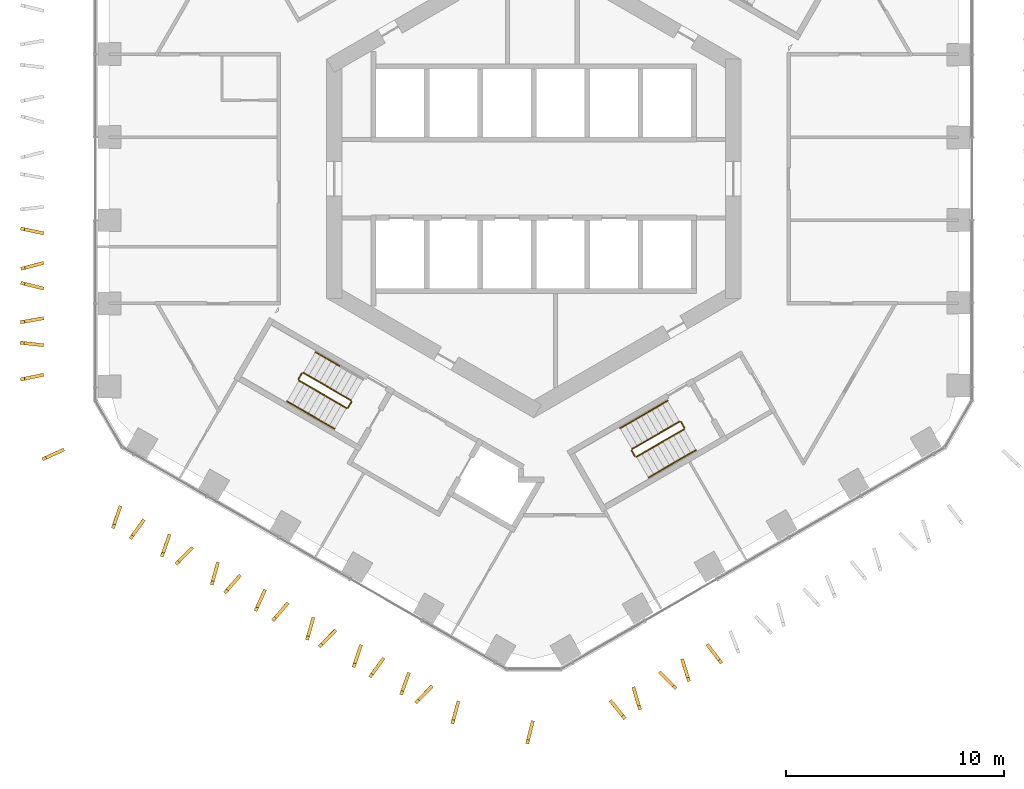
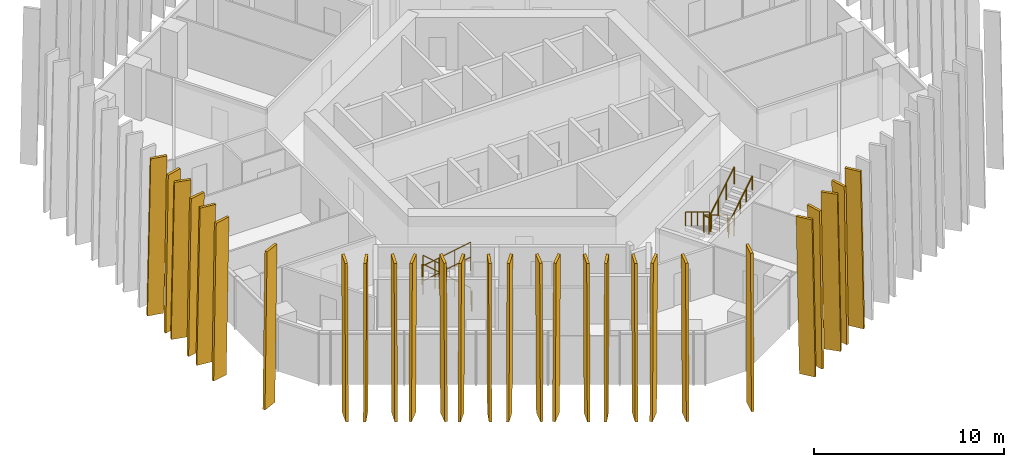
# One storey, part 16 of 18: 28 shading devices, 15 railings.
"""IFC4 building model written with IfcOpenShell, lengths in metres."""

from ifc_helpers import new_model, si_unit, direction, frame, origin, origin_2d, place, context, subcontext, project, spatial, polyline, circle, outline, extrude, material, layer, layer_set, type_object, element, save


model = new_model("IFC4")

# Units and contexts
model_context = context("Model", 3, precision=1e-05, world=origin(), true_north=direction((0.0, 1.0)))
body_context = subcontext(model_context, "Body", "Model", "MODEL_VIEW")
ifc_project = project(units=[si_unit("LENGTHUNIT", "METRE"), si_unit("AREAUNIT", "SQUARE_METRE"), si_unit("VOLUMEUNIT", "CUBIC_METRE"), si_unit("PLANEANGLEUNIT", "RADIAN"), si_unit("MASSUNIT", "GRAM", prefix="KILO")], contexts=[model_context])

# Site, building, storey
site_placement = place(None, origin())
site = spatial("IfcSite", under=ifc_project, at=site_placement, CompositionType="ELEMENT")
building_placement = place(site_placement, origin())
building = spatial("IfcBuilding", under=site, at=building_placement, Name="Ayvan Gate Tower", CompositionType="ELEMENT")
storey_placement = place(building_placement, frame((0.0, 0.0, 83.10009765625)))
storey = spatial("IfcBuildingStorey", under=building, at=storey_placement, Name="L21", CompositionType="ELEMENT", Elevation=83.10009765625)

# Shading devices
ifc_material_1 = material(Name="Bronze anodised aluminium", Category="aluminium")
ifc_layer = layer(ifc_material_1, 0.14990234375)
ifc_layer_set = layer_set([ifc_layer], Name="Bronze anodised aluminium")
shading_device_type = type_object("IfcShadingDeviceType", Name="Bronze fin 900 x 150", PredefinedType="USERDEFINED", material=ifc_layer_set)
shading_device_1_placement = place(storey_placement, frame((-22.64501953125, -2.3955078125, 0.0), z_axis=(0.205600362264, 0.978636025132, 0.000146121856), x_axis=(-0.978636035579, 0.205600364459, 0.0)))
element("IfcShadingDevice", 1, at=shading_device_1_placement, inside=storey, type_object=shading_device_type, Name="Bronze fin FG07.3.26", ObjectType="FIN", PredefinedType="USERDEFINED", context=body_context, shape_type="SweptSolid", body=[
    extrude(outline(polyline([(0.0, 0.0), (0.9000888409741108, 6.776263578034403e-21), (0.7159197938794261, 10.079834091985274), (-0.18416904709468473, 10.079834091985274), (0.0, 0.0)])), origin(), (0.0, 0.0, -1.0), 0.14990234375),
])
shading_device_2_placement = place(storey_placement, frame((-22.67529296875, -3.83251953125, 0.0), z_axis=(-0.255534649572, 0.966799884367, 0.000162654484), x_axis=(-0.966799897156, -0.255534652952, 0.0)))
element("IfcShadingDevice", 2, at=shading_device_2_placement, inside=storey, type_object=shading_device_type, Name="Bronze fin FG07.3.27", ObjectType="FIN", PredefinedType="USERDEFINED", context=body_context, shape_type="SweptSolid", body=[
    extrude(outline(polyline([(0.0, 0.0), (0.8999971866563695, 6.776263578034403e-21), (0.7160876724051745, 10.079834117713473), (-0.1839095142511951, 10.079834117713473), (0.0, 0.0)])), origin(), (0.0, 0.0, -1.0), 0.14990234375),
])
shading_device_3_placement = place(storey_placement, frame((-22.638916015625, -4.925048828125, 0.0), z_axis=(0.244385985869, 0.969678023843, 0.000141377549), x_axis=(-0.969678033533, 0.244385988311, 0.0)))
element("IfcShadingDevice", 3, at=shading_device_3_placement, inside=storey, type_object=shading_device_type, Name="Bronze fin FG07.3.28", ObjectType="FIN", PredefinedType="USERDEFINED", context=body_context, shape_type="SweptSolid", body=[
    extrude(outline(polyline([(0.0, 0.0), (0.9000953968140175, 0.0), (0.7159405378641897, 10.079834085110903), (-0.18415485894982794, 10.079834085110903), (0.0, 0.0)])), origin(), (0.0, 0.0, -1.0), 0.14990234375),
])
shading_device_4_placement = place(storey_placement, frame((-22.67578125, -6.356201171875, 0.0), z_axis=(-0.174969053598, 0.984573922532, 0.000146127767), x_axis=(-0.984573933044, -0.174969055466, 3.468e-09)))
element("IfcShadingDevice", 4, at=shading_device_4_placement, inside=storey, type_object=shading_device_type, Name="Bronze fin FG07.3.29", ObjectType="FIN", PredefinedType="USERDEFINED", context=body_context, shape_type="SweptSolid", body=[
    extrude(outline(polyline([(0.0, 0.0), (0.8998715438944136, -6.776263578034403e-21), (0.7158909799192454, 10.079834089511019), (-0.1842209384705402, 10.079834095754002), (0.0, 0.0)])), origin(), (0.0, 0.0, -1.0), 0.14990234375),
])
shading_device_5_placement = place(storey_placement, frame((-22.657470703125, -7.546142578125, 0.0), z_axis=(0.110952561168, 0.993825691542, 0.000154923346), x_axis=(-0.993825703469, 0.1109525625, 2.331e-09)))
element("IfcShadingDevice", 5, at=shading_device_5_placement, inside=storey, type_object=shading_device_type, Name="Bronze fin FG07.3.30", ObjectType="FIN", PredefinedType="USERDEFINED", context=body_context, shape_type="SweptSolid", body=[
    extrude(outline(polyline([(0.0, 0.0), (0.9000871522390453, 3.3881317890172014e-21), (0.7159169651602798, 10.07983410367033), (-0.1839275538503796, 10.079834107866331), (0.0, 0.0)])), origin(), (0.0, 0.0, -1.0), 0.14990234375),
])
shading_device_6_placement = place(storey_placement, frame((-22.67578125, -8.9541015625, 0.0), z_axis=(-0.206119825294, 0.978526749554, 0.000134268376), x_axis=(-0.978526758374, -0.206119827152, 0.0)))
element("IfcShadingDevice", 6, at=shading_device_6_placement, inside=storey, type_object=shading_device_type, Name="Bronze fin FG07.3.31", ObjectType="FIN", PredefinedType="USERDEFINED", context=body_context, shape_type="SweptSolid", body=[
    extrude(outline(polyline([(0.0, 0.0), (0.900189358606097, 0.0), (0.7160953037937127, 10.07983407523461), (-0.18409405481238428, 10.07983407523461), (0.0, 0.0)])), origin(), (0.0, 0.0, -1.0), 0.14990234375),
])
shading_device_7_placement = place(storey_placement, frame((-21.750732421875, -12.431640625, 0.0), z_axis=(-0.413813158619, 0.910361822566, 0.000147537183), x_axis=(-0.910361832476, -0.41381316312, -1.8218e-08)))
element("IfcShadingDevice", 7, at=shading_device_7_placement, inside=storey, type_object=shading_device_type, Name="Bronze fin FG07.4.32", ObjectType="FIN", PredefinedType="USERDEFINED", context=body_context, shape_type="SweptSolid", body=[
    extrude(outline(polyline([(0.0, 0.0), (0.8999607869986922, 0.0), (0.7159112550994431, 10.0798341071225), (-0.18415056050352657, 10.07983407432959), (0.0, 0.0)])), origin(), (0.0, 0.0, -1.0), 0.14990234375),
])
shading_device_8_placement = place(storey_placement, frame((-19.090087890625, -15.162109375, 0.0), z_axis=(-0.947893716711, 0.31858668487, 0.000161377388), x_axis=(-0.318586689014, -0.947893729056, 2.7717e-08)))
element("IfcShadingDevice", 8, at=shading_device_8_placement, inside=storey, type_object=shading_device_type, Name="Bronze fin FG07.5.33", ObjectType="FIN", PredefinedType="USERDEFINED", context=body_context, shape_type="SweptSolid", body=[
    extrude(outline(polyline([(0.0, 0.0), (0.9001243544804838, 6.776263578034403e-21), (0.7159887563467326, 10.079834095782681), (-0.1839819587196785, 10.079834145676202), (0.0, 0.0)])), origin(), (0.0, 0.0, -1.0), 0.14990234375),
])
shading_device_9_placement = place(storey_placement, frame((-18.045654296875, -15.74560546875, 0.0), z_axis=(-0.812153962701, 0.583443159108, 0.000144773757), x_axis=(-0.583443165225, -0.81215397121, -2.7409e-08)))
element("IfcShadingDevice", 9, at=shading_device_9_placement, inside=storey, type_object=shading_device_type, Name="Bronze fin FG07.5.34", ObjectType="FIN", PredefinedType="USERDEFINED", context=body_context, shape_type="SweptSolid", body=[
    extrude(outline(polyline([(0.0, 0.0), (0.8998445029859896, -1.3552527156068805e-20), (0.7159033519473162, 10.07983410963101), (-0.18399698863779088, 10.07983406030188), (0.0, 0.0)])), origin(), (0.0, 0.0, -1.0), 0.14990234375),
])
shading_device_10_placement = place(storey_placement, frame((-16.83642578125, -16.463134765625, 0.0), z_axis=(-0.943843543143, 0.330392710317, 0.000151778418), x_axis=(-0.330392714122, -0.943843554015, 6.8e-09)))
element("IfcShadingDevice", 10, at=shading_device_10_placement, inside=storey, type_object=shading_device_type, Name="Bronze fin FG07.5.35", ObjectType="FIN", PredefinedType="USERDEFINED", context=body_context, shape_type="SweptSolid", body=[
    extrude(outline(polyline([(0.0, 0.0), (0.9001449935966185, -6.776263578034403e-21), (0.7159704856178346, 10.07983409560907), (-0.18394407742360447, 10.079834107850298), (0.0, 0.0)])), origin(), (0.0, 0.0, -1.0), 0.14990234375),
])
shading_device_11_placement = place(storey_placement, frame((-15.839599609375, -16.995361328125, 0.0), z_axis=(-0.714258936227, 0.699881525054, 0.000151355625), x_axis=(-0.69988153307, -0.714258944408, 0.0)))
element("IfcShadingDevice", 11, at=shading_device_11_placement, inside=storey, type_object=shading_device_type, Name="Bronze fin FG07.5.36", ObjectType="FIN", PredefinedType="USERDEFINED", context=body_context, shape_type="SweptSolid", body=[
    extrude(outline(polyline([(0.0, 0.0), (0.8999849013545551, -1.3552527156068805e-20), (0.7159635996193511, 10.07983409983207), (-0.1840213017352041, 10.07983409983207), (0.0, 0.0)])), origin(), (0.0, 0.0, -1.0), 0.14990234375),
])
shading_device_12_placement = place(storey_placement, frame((-14.60791015625, -17.74951171875, 0.0), z_axis=(-0.964273841134, 0.264907414789, 0.000144547798), x_axis=(-0.264907417553, -0.964273851209, 2.4098e-08)))
element("IfcShadingDevice", 12, at=shading_device_12_placement, inside=storey, type_object=shading_device_type, Name="Bronze fin FG07.5.37", ObjectType="FIN", PredefinedType="USERDEFINED", context=body_context, shape_type="SweptSolid", body=[
    extrude(outline(polyline([(0.0, 0.0), (0.900034956196205, 0.0), (0.7158631198562067, 10.079834072428609), (-0.1840010925817815, 10.079834115802289), (0.0, 0.0)])), origin(), (0.0, 0.0, -1.0), 0.14990234375),
])
shading_device_13_placement = place(storey_placement, frame((-13.638427734375, -18.275634765625, 0.0), z_axis=(-0.750708125959, 0.660634003147, 0.00015331406), x_axis=(-0.660634010912, -0.750708134781, 0.0)))
element("IfcShadingDevice", 13, at=shading_device_13_placement, inside=storey, type_object=shading_device_type, Name="Bronze fin FG07.5.38", ObjectType="FIN", PredefinedType="USERDEFINED", context=body_context, shape_type="SweptSolid", body=[
    extrude(outline(polyline([(0.0, 0.0), (0.8998665101341956, 0.0), (0.7157364126645573, 10.079834102839266), (-0.1841300974696382, 10.079834102839266), (0.0, 0.0)])), origin(), (0.0, 0.0, -1.0), 0.14990234375),
])
shading_device_14_placement = place(storey_placement, frame((-12.4658203125, -18.984375, 0.0), z_axis=(-0.91206357003, 0.410048806098, 0.000144368944), x_axis=(-0.410048810368, -0.912063579536, 1.7862e-08)))
element("IfcShadingDevice", 14, at=shading_device_14_placement, inside=storey, type_object=shading_device_type, Name="Bronze fin FG07.5.39", ObjectType="FIN", PredefinedType="USERDEFINED", context=body_context, shape_type="SweptSolid", body=[
    extrude(outline(polyline([(0.0, 0.0), (0.8998880631996213, -6.776263578034403e-21), (0.7159236733105624, 10.079834076631384), (-0.1840644994619028, 10.07983410878006), (0.0, 0.0)])), origin(), (0.0, 0.0, -1.0), 0.14990234375),
])
shading_device_15_placement = place(storey_placement, frame((-11.444580078125, -19.544677734375, 0.0), z_axis=(-0.760652701509, 0.649159028071, 0.000154793218), x_axis=(-0.649159035848, -0.760652710622, 0.0)))
element("IfcShadingDevice", 15, at=shading_device_15_placement, inside=storey, type_object=shading_device_type, Name="Bronze fin FG07.5.40", ObjectType="FIN", PredefinedType="USERDEFINED", context=body_context, shape_type="SweptSolid", body=[
    extrude(outline(polyline([(0.0, 0.0), (0.8999774837326424, -1.3552527156068805e-20), (0.7160185100869041, 10.079834105136154), (-0.1839589736457382, 10.079834105136154), (0.0, 0.0)])), origin(), (0.0, 0.0, -1.0), 0.14990234375),
])
shading_device_16_placement = place(storey_placement, frame((-10.229248046875, -20.277587890625, 0.0), z_axis=(-0.962661974943, 0.270706297828, 0.000149384918), x_axis=(-0.270706300849, -0.962661985684, 0.0)))
element("IfcShadingDevice", 16, at=shading_device_16_placement, inside=storey, type_object=shading_device_type, Name="Bronze fin FG07.5.41", ObjectType="FIN", PredefinedType="USERDEFINED", context=body_context, shape_type="SweptSolid", body=[
    extrude(outline(polyline([(0.0, 0.0), (0.9000615906833642, 0.0), (0.7160245787660424, 10.079834096845053), (-0.18403701191732183, 10.079834096845053), (0.0, 0.0)])), origin(), (0.0, 0.0, -1.0), 0.14990234375),
])
shading_device_17_placement = place(storey_placement, frame((-9.27001953125, -20.787109375, 0.0), z_axis=(-0.710421863238, 0.703776068793, 0.000145697032), x_axis=(-0.703776076262, -0.710421870779, 1.404e-08)))
element("IfcShadingDevice", 17, at=shading_device_17_placement, inside=storey, type_object=shading_device_type, Name="Bronze fin FG07.5.42", ObjectType="FIN", PredefinedType="USERDEFINED", context=body_context, shape_type="SweptSolid", body=[
    extrude(outline(polyline([(0.0, 0.0), (0.8999487356919109, 1.3552527156068805e-20), (0.7160986725941246, 10.079834081306627), (-0.18402188342890474, 10.079834106579147), (0.0, 0.0)])), origin(), (0.0, 0.0, -1.0), 0.14990234375),
])
shading_device_18_placement = place(storey_placement, frame((-8.053955078125, -21.533935546875, 0.0), z_axis=(-0.949062390609, 0.315088171128, 0.000152137041), x_axis=(-0.315088174779, -0.949062401592, -2.6089e-08)))
element("IfcShadingDevice", 18, at=shading_device_18_placement, inside=storey, type_object=shading_device_type, Name="Bronze fin FG07.5.43", ObjectType="FIN", PredefinedType="USERDEFINED", context=body_context, shape_type="SweptSolid", body=[
    extrude(outline(polyline([(0.0, 0.0), (0.8998908056298629, 6.776263578034403e-21), (0.7159151991579894, 10.079834119704673), (-0.18413038533584153, 10.079834072746502), (0.0, 0.0)])), origin(), (0.0, 0.0, -1.0), 0.14990234375),
])
shading_device_19_placement = place(storey_placement, frame((-7.046875, -22.0947265625, 0.0), z_axis=(-0.807361288073, 0.590057392997, 0.000153265117), x_axis=(-0.590057399927, -0.807361297556, 0.0)))
element("IfcShadingDevice", 19, at=shading_device_19_placement, inside=storey, type_object=shading_device_type, Name="Bronze fin FG07.5.44", ObjectType="FIN", PredefinedType="USERDEFINED", context=body_context, shape_type="SweptSolid", body=[
    extrude(outline(polyline([(0.0, 0.0), (0.8999223794843823, 0.0), (0.7158453738719401, 10.079834102763643), (-0.18407700561244217, 10.079834102763643), (0.0, 0.0)])), origin(), (0.0, 0.0, -1.0), 0.14990234375),
])
shading_device_20_placement = place(storey_placement, frame((-5.854736328125, -22.803466796875, 0.0), z_axis=(-0.941089546337, 0.338157428512, 0.00013898727), x_axis=(-0.338157431781, -0.941089555426, -1.7741e-08)))
element("IfcShadingDevice", 20, at=shading_device_20_placement, inside=storey, type_object=shading_device_type, Name="Bronze fin FG07.5.45", ObjectType="FIN", PredefinedType="USERDEFINED", context=body_context, shape_type="SweptSolid", body=[
    extrude(outline(polyline([(0.0, 0.0), (0.8999809534185896, -6.776263578034403e-21), (0.7157643451625678, 10.079834094431916), (-0.18413405028927843, 10.079834062499916), (0.0, 0.0)])), origin(), (0.0, 0.0, -1.0), 0.14990234375),
])
shading_device_21_placement = place(storey_placement, frame((-4.837646484375, -23.34765625, 0.0), z_axis=(-0.716269559034, 0.697823685141, 0.000152503637), x_axis=(-0.697823693256, -0.716269567363, -3.81e-10)))
element("IfcShadingDevice", 21, at=shading_device_21_placement, inside=storey, type_object=shading_device_type, Name="Bronze fin FG07.5.46", ObjectType="FIN", PredefinedType="USERDEFINED", context=body_context, shape_type="SweptSolid", body=[
    extrude(outline(polyline([(0.0, 0.0), (0.9001875708383049, -2.710505431213761e-20), (0.7159920422799115, 10.07983410186329), (-0.18385029094593752, 10.079834101176639), (0.0, 0.0)])), origin(), (0.0, 0.0, -1.0), 0.14990234375),
])
shading_device_22_placement = place(storey_placement, frame((-3.572265625, -24.120849609375, 0.0), z_axis=(-0.964578912993, 0.263794429945, 0.00013906633), x_axis=(-0.263794432494, -0.964578922321, 1.8194e-08)))
element("IfcShadingDevice", 22, at=shading_device_22_placement, inside=storey, type_object=shading_device_type, Name="Bronze fin FG07.5.47", ObjectType="FIN", PredefinedType="USERDEFINED", context=body_context, shape_type="SweptSolid", body=[
    extrude(outline(polyline([(0.0, 0.0), (0.9000124111709515, 0.0), (0.715906549191034, 10.0798340688192), (-0.18417026491753824, 10.079834101569503), (0.0, 0.0)])), origin(), (0.0, 0.0, -1.0), 0.14990234375),
])
shading_device_23_placement = place(storey_placement, frame((-0.158935546875, -25.03271484375, 0.0), z_axis=(-0.970555931345, 0.24087581527, 0.000160466247), x_axis=(-0.240875818371, -0.970555943841, 0.0)))
element("IfcShadingDevice", 23, at=shading_device_23_placement, inside=storey, type_object=shading_device_type, Name="Bronze fin FG07.6.48", ObjectType="FIN", PredefinedType="USERDEFINED", context=body_context, shape_type="SweptSolid", body=[
    extrude(outline(polyline([(0.0, 0.0), (0.9000358627379677, 6.776263578034403e-21), (0.7160049806927278, 10.079834114149927), (-0.18403088204523987, 10.079834114149927), (0.0, 0.0)])), origin(), (0.0, 0.0, -1.0), 0.14990234375),
])
shading_device_24_placement = place(storey_placement, frame((3.567138671875, -24.123779296875, 0.0), z_axis=(-0.778547707675, -0.62758540826, 0.000149039049), x_axis=(0.627585415228, -0.778547716323, -1.574e-08)))
element("IfcShadingDevice", 24, at=shading_device_24_placement, inside=storey, type_object=shading_device_type, Name="Bronze fin FG07.7.49", ObjectType="FIN", PredefinedType="USERDEFINED", context=body_context, shape_type="SweptSolid", body=[
    extrude(outline(polyline([(0.0, 0.0), (0.89991137970504, 0.0), (0.7158702848520503, 10.079834107592418), (-0.18419431394850447, 10.079834079261392), (0.0, 0.0)])), origin(), (0.0, 0.0, -1.0), 0.14990234375),
])
shading_device_25_placement = place(storey_placement, frame((4.55029296875, -23.51611328125, 0.0), z_axis=(-0.958975803116, -0.283487896536, 0.000146820015), x_axis=(0.283487899592, -0.958975813452, 0.0)))
element("IfcShadingDevice", 25, at=shading_device_25_placement, inside=storey, type_object=shading_device_type, Name="Bronze fin FG07.7.50", ObjectType="FIN", PredefinedType="USERDEFINED", context=body_context, shape_type="SweptSolid", body=[
    extrude(outline(polyline([(0.0, 0.0), (0.8999571180724122, 0.0), (0.715820656190709, 10.079834093016041), (-0.18413646188170316, 10.079834093016041), (0.0, 0.0)])), origin(), (0.0, 0.0, -1.0), 0.14990234375),
])
shading_device_26_placement = place(storey_placement, frame((5.84033203125, -22.811279296875, 0.0), z_axis=(-0.707513507627, -0.706699806066, 0.000143634969), x_axis=(0.706699813356, -0.707513514926, -1.6e-11)))
element("IfcShadingDevice", 26, at=shading_device_26_placement, inside=storey, type_object=shading_device_type, Name="Bronze fin FG07.7.51", ObjectType="FIN", PredefinedType="USERDEFINED", context=body_context, shape_type="SweptSolid", body=[
    extrude(outline(polyline([(0.0, 0.0), (0.8999385402145377, -1.3552527156068805e-20), (0.7160830080803487, 10.079834088364903), (-0.18420079906003886, 10.079834088336364), (0.0, 0.0)])), origin(), (0.0, 0.0, -1.0), 0.14990234375),
])
shading_device_27_placement = place(storey_placement, frame((6.7861328125, -22.22802734375, 0.0), z_axis=(-0.954520989539, -0.298143688363, 0.000147033556), x_axis=(0.298143691586, -0.954520999857, 5.947e-09)))
element("IfcShadingDevice", 27, at=shading_device_27_placement, inside=storey, type_object=shading_device_type, Name="Bronze fin FG07.7.52", ObjectType="FIN", PredefinedType="USERDEFINED", context=body_context, shape_type="SweptSolid", body=[
    extrude(outline(polyline([(0.0, 0.0), (0.8998205064816783, 0.0), (0.7158598463690824, 10.079834089075096), (-0.18419369746607656, 10.079834099778905), (0.0, 0.0)])), origin(), (0.0, 0.0, -1.0), 0.14990234375),
])
shading_device_28_placement = place(storey_placement, frame((8.010498046875, -21.557861328125, 0.0), z_axis=(-0.792765137297, -0.609527207359, 0.000143446551), x_axis=(0.609527213631, -0.792765145452, 1.186e-08)))
element("IfcShadingDevice", 28, at=shading_device_28_placement, inside=storey, type_object=shading_device_type, Name="Bronze fin FG07.7.53", ObjectType="FIN", PredefinedType="USERDEFINED", context=body_context, shape_type="SweptSolid", body=[
    extrude(outline(polyline([(0.0, 0.0), (0.8999187998142201, -1.3552527156068805e-20), (0.7158889548559916, 10.079834079590391), (-0.1842233911363173, 10.079834100939019), (0.0, 0.0)])), origin(), (0.0, 0.0, -1.0), 0.14990234375),
])

# Railings
ifc_material_2 = material(Name="Stainless steel balustrade", Category="steel")
railing_type_1 = type_object("IfcRailingType", Name="RL-GUARD-1100", PredefinedType="GUARDRAIL", material=ifc_material_2)
railing_1_placement = place(storey_placement, frame((-8.381103515625, -10.16650390625, 0.169921875)))
element("IfcRailing", 29, at=railing_1_placement, inside=storey, type_object=railing_type_1, Name="L21 STS2 stair guard 1", PredefinedType="GUARDRAIL", context=body_context, shape_type="SweptSolid", body=[
    extrude(circle(Radius=0.02392578125, at=origin_2d()), frame((0.0, 0.0, 1.076171875), z_axis=(-0.740261155115, 0.427395438142, 0.518986090067), x_axis=(-0.500004791531, -0.866022637375, 0.0)), (0.0, 0.0, 1.0), 2.947998046875),
    extrude(circle(Radius=0.02099609375, at=origin_2d()), origin(), (0.0, 0.0, 1.0), 1.052001953125),
    extrude(circle(Radius=0.02099609375, at=origin_2d()), frame((-0.7275390625, 0.419921875, 0.510009765625)), (0.0, 0.0, 1.0), 1.052001953125),
    extrude(circle(Radius=0.02099609375, at=origin_2d()), frame((-1.454833984375, 0.840087890625, 1.02001953125)), (0.0, 0.0, 1.0), 1.052001953125),
    extrude(circle(Radius=0.02099609375, at=origin_2d()), frame((-2.182373046875, 1.260009765625, 1.530029296875)), (0.0, 0.0, 1.0), 1.052001953125),
])
railing_2_placement = place(storey_placement, frame((-10.6318359375, -8.9248046875, 1.699951171875)))
element("IfcRailing", 30, at=railing_2_placement, inside=storey, type_object=railing_type_1, Name="L21 STS2 stair guard 2", PredefinedType="GUARDRAIL", context=body_context, shape_type="SweptSolid", body=[
    extrude(circle(Radius=0.02392578125, at=origin_2d()), frame((0.0, 0.0, 1.076171875), z_axis=(-0.499949632511, -0.866054481515, 0.0), x_axis=(0.866054481515, -0.499949632511, 0.0)), (0.0, 0.0, 1.0), 0.31005859375),
    extrude(circle(Radius=0.02099609375, at=origin_2d()), origin(), (0.0, 0.0, 1.0), 1.052001953125),
    extrude(circle(Radius=0.02099609375, at=origin_2d()), frame((-0.155029296875, -0.2685546875, 0.0)), (0.0, 0.0, 1.0), 1.052001953125),
])
railing_3_placement = place(storey_placement, frame((-10.7685546875, -9.261474609375, 1.869873046875)))
element("IfcRailing", 31, at=railing_3_placement, inside=storey, type_object=railing_type_1, Name="L21 STS2 stair guard 3", PredefinedType="GUARDRAIL", context=body_context, shape_type="SweptSolid", body=[
    extrude(circle(Radius=0.02392578125, at=origin_2d()), frame((0.0, 0.0, 1.076171875), z_axis=(0.740261155115, -0.427395438142, 0.518986090067), x_axis=(0.500004791531, 0.866022637375, 0.0)), (0.0, 0.0, 1.0), 2.947998046875),
    extrude(circle(Radius=0.02099609375, at=origin_2d()), origin(), (0.0, 0.0, 1.0), 1.052001953125),
    extrude(circle(Radius=0.02099609375, at=origin_2d()), frame((0.7275390625, -0.419921875, 0.510009765625)), (0.0, 0.0, 1.0), 1.052001953125),
    extrude(circle(Radius=0.02099609375, at=origin_2d()), frame((1.454833984375, -0.840087890625, 1.02001953125)), (0.0, 0.0, 1.0), 1.052001953125),
    extrude(circle(Radius=0.02099609375, at=origin_2d()), frame((2.182373046875, -1.260009765625, 1.530029296875)), (0.0, 0.0, 1.0), 1.052001953125),
])
railing_4_placement = place(storey_placement, frame((-8.36279296875, -10.23486328125, 0.0)))
element("IfcRailing", 32, at=railing_4_placement, inside=storey, type_object=railing_type_1, Name="L21 STS2 stair guard 4", PredefinedType="GUARDRAIL", context=body_context, shape_type="SweptSolid", body=[
    extrude(circle(Radius=0.02392578125, at=origin_2d()), frame((0.0, 0.0, 1.076171875), z_axis=(-0.500290723946, -0.86585748916, 0.0), x_axis=(0.86585748916, -0.500290723946, 0.0)), (0.0, 0.0, 1.0), 0.309814453125),
    extrude(circle(Radius=0.02099609375, at=origin_2d()), origin(), (0.0, 0.0, 1.0), 1.052001953125),
    extrude(circle(Radius=0.02099609375, at=origin_2d()), frame((-0.155029296875, -0.268310546875, 0.0)), (0.0, 0.0, 1.0), 1.052001953125),
])
railing_5_placement = place(storey_placement, frame((6.6923828125, -11.1416015625, 0.169921875)))
element("IfcRailing", 33, at=railing_5_placement, inside=storey, type_object=railing_type_1, Name="L21 STS3 stair guard 1", PredefinedType="GUARDRAIL", context=body_context, shape_type="SweptSolid", body=[
    extrude(circle(Radius=0.02392578125, at=origin_2d()), frame((0.0, 0.0, 1.076171875), z_axis=(-0.740261155115, -0.427395438142, 0.518986090067), x_axis=(0.500004791531, -0.866022637375, 0.0)), (0.0, 0.0, 1.0), 2.947998046875),
    extrude(circle(Radius=0.02099609375, at=origin_2d()), origin(), (0.0, 0.0, 1.0), 1.052001953125),
    extrude(circle(Radius=0.02099609375, at=origin_2d()), frame((-0.7275390625, -0.419921875, 0.510009765625)), (0.0, 0.0, 1.0), 1.052001953125),
    extrude(circle(Radius=0.02099609375, at=origin_2d()), frame((-1.454833984375, -0.840087890625, 1.02001953125)), (0.0, 0.0, 1.0), 1.052001953125),
    extrude(circle(Radius=0.02099609375, at=origin_2d()), frame((-2.182373046875, -1.260009765625, 1.530029296875)), (0.0, 0.0, 1.0), 1.052001953125),
])
railing_6_placement = place(storey_placement, frame((4.49169921875, -12.4697265625, 1.699951171875)))
element("IfcRailing", 34, at=railing_6_placement, inside=storey, type_object=railing_type_1, Name="L21 STS3 stair guard 2", PredefinedType="GUARDRAIL", context=body_context, shape_type="SweptSolid", body=[
    extrude(circle(Radius=0.02392578125, at=origin_2d()), frame((0.0, 0.0, 1.076171875), z_axis=(0.499949632511, -0.866054481515, 0.0), x_axis=(0.866054481515, 0.499949632511, 0.0)), (0.0, 0.0, 1.0), 0.31005859375),
    extrude(circle(Radius=0.02099609375, at=origin_2d()), origin(), (0.0, 0.0, 1.0), 1.052001953125),
    extrude(circle(Radius=0.02099609375, at=origin_2d()), frame((0.155029296875, -0.2685546875, 0.0)), (0.0, 0.0, 1.0), 1.052001953125),
])
railing_7_placement = place(storey_placement, frame((4.715087890625, -12.756591796875, 1.869873046875)))
element("IfcRailing", 35, at=railing_7_placement, inside=storey, type_object=railing_type_1, Name="L21 STS3 stair guard 3", PredefinedType="GUARDRAIL", context=body_context, shape_type="SweptSolid", body=[
    extrude(circle(Radius=0.02392578125, at=origin_2d()), frame((0.0, 0.0, 1.076171875), z_axis=(0.740261155115, 0.427395438142, 0.518986090067), x_axis=(-0.500004791531, 0.866022637375, 0.0)), (0.0, 0.0, 1.0), 2.947998046875),
    extrude(circle(Radius=0.02099609375, at=origin_2d()), origin(), (0.0, 0.0, 1.0), 1.052001953125),
    extrude(circle(Radius=0.02099609375, at=origin_2d()), frame((0.7275390625, 0.419921875, 0.510009765625)), (0.0, 0.0, 1.0), 1.052001953125),
    extrude(circle(Radius=0.02099609375, at=origin_2d()), frame((1.454833984375, 0.840087890625, 1.02001953125)), (0.0, 0.0, 1.0), 1.052001953125),
    extrude(circle(Radius=0.02099609375, at=origin_2d()), frame((2.182373046875, 1.260009765625, 1.530029296875)), (0.0, 0.0, 1.0), 1.052001953125),
])
railing_8_placement = place(storey_placement, frame((6.7607421875, -11.159912109375, 0.0)))
element("IfcRailing", 36, at=railing_8_placement, inside=storey, type_object=railing_type_1, Name="L21 STS3 stair guard 4", PredefinedType="GUARDRAIL", context=body_context, shape_type="SweptSolid", body=[
    extrude(circle(Radius=0.02392578125, at=origin_2d()), frame((0.0, 0.0, 1.076171875), z_axis=(0.500290723946, -0.86585748916, 0.0), x_axis=(0.86585748916, 0.500290723946, 0.0)), (0.0, 0.0, 1.0), 0.309814453125),
    extrude(circle(Radius=0.02099609375, at=origin_2d()), origin(), (0.0, 0.0, 1.0), 1.052001953125),
    extrude(circle(Radius=0.02099609375, at=origin_2d()), frame((0.155029296875, -0.268310546875, 0.0)), (0.0, 0.0, 1.0), 1.052001953125),
])
railing_type_2 = type_object("IfcRailingType", Name="RL-HANDRAIL-900", PredefinedType="HANDRAIL", material=ifc_material_2)
railing_9_placement = place(storey_placement, frame((-8.92236328125, -8.583984375, 0.934814453125)))
element("IfcRailing", 37, at=railing_9_placement, inside=storey, type_object=railing_type_2, Name="L21 STS2 stair handrail 2", PredefinedType="HANDRAIL", context=body_context, shape_type="SweptSolid", body=[
    extrude(circle(Radius=0.02392578125, at=origin_2d()), frame((0.0, 0.0, 0.8759765625), z_axis=(-0.740165700939, 0.427470949681, 0.519060037311), x_axis=(-0.50011940292, -0.865956455501, 0.0)), (0.0, 0.0, 1.0), 1.47412109375),
    extrude(circle(Radius=0.02099609375, at=origin_2d()), origin(), (0.0, 0.0, 1.0), 0.851806640625),
    extrude(circle(Radius=0.02099609375, at=origin_2d()), frame((-0.54541015625, 0.31494140625, 0.382568359375)), (0.0, 0.0, 1.0), 0.851806640625),
    extrude(circle(Radius=0.02099609375, at=origin_2d()), frame((-1.091064453125, 0.630126953125, 0.76513671875)), (0.0, 0.0, 1.0), 0.851806640625),
])
railing_10_placement = place(storey_placement, frame((-11.318603515625, -10.214111328125, 1.869873046875)))
element("IfcRailing", 38, at=railing_10_placement, inside=storey, type_object=railing_type_2, Name="L21 STS2 stair handrail 3", PredefinedType="HANDRAIL", context=body_context, shape_type="SweptSolid", body=[
    extrude(circle(Radius=0.02392578125, at=origin_2d()), frame((0.0, 0.0, 0.8759765625), z_axis=(0.740240574041, -0.427418550694, 0.518996411419), x_axis=(0.500035496587, 0.86600490885, 0.0)), (0.0, 0.0, 1.0), 1.474365234375),
    extrude(circle(Radius=0.02099609375, at=origin_2d()), origin(), (0.0, 0.0, 1.0), 0.851806640625),
    extrude(circle(Radius=0.02099609375, at=origin_2d()), frame((0.545654296875, -0.31494140625, 0.382568359375)), (0.0, 0.0, 1.0), 0.851806640625),
    extrude(circle(Radius=0.02099609375, at=origin_2d()), frame((1.09130859375, -0.630126953125, 0.76513671875)), (0.0, 0.0, 1.0), 0.851806640625),
])
railing_11_placement = place(storey_placement, frame((-10.227294921875, -10.84423828125, 2.635009765625)))
element("IfcRailing", 39, at=railing_11_placement, inside=storey, type_object=railing_type_2, Name="L21 STS2 stair handrail 4", PredefinedType="HANDRAIL", context=body_context, shape_type="SweptSolid", body=[
    extrude(circle(Radius=0.02392578125, at=origin_2d()), frame((0.0, 0.0, 0.8759765625), z_axis=(0.740356597536, -0.427319915356, 0.518912129772), x_axis=(0.499890179513, 0.866088799389, 0.0)), (0.0, 0.0, 1.0), 1.47412109375),
    extrude(circle(Radius=0.02099609375, at=origin_2d()), origin(), (0.0, 0.0, 1.0), 0.851806640625),
    extrude(circle(Radius=0.02099609375, at=origin_2d()), frame((0.545654296875, -0.31494140625, 0.38232421875)), (0.0, 0.0, 1.0), 0.851806640625),
    extrude(circle(Radius=0.02099609375, at=origin_2d()), frame((1.09130859375, -0.6298828125, 0.764892578125)), (0.0, 0.0, 1.0), 0.851806640625),
])
railing_12_placement = place(storey_placement, frame((6.142333984375, -10.18896484375, 0.169921875)))
element("IfcRailing", 40, at=railing_12_placement, inside=storey, type_object=railing_type_2, Name="L21 STS3 stair handrail 1", PredefinedType="HANDRAIL", context=body_context, shape_type="SweptSolid", body=[
    extrude(circle(Radius=0.02392578125, at=origin_2d()), frame((0.0, 0.0, 0.8759765625), z_axis=(-0.740281741151, -0.427372318678, 0.518975765278), x_axis=(0.499974077718, -0.866040369504, 0.0)), (0.0, 0.0, 1.0), 1.473876953125),
    extrude(circle(Radius=0.02099609375, at=origin_2d()), origin(), (0.0, 0.0, 1.0), 0.851806640625),
    extrude(circle(Radius=0.02099609375, at=origin_2d()), frame((-0.54541015625, -0.31494140625, 0.38232421875)), (0.0, 0.0, 1.0), 0.851806640625),
    extrude(circle(Radius=0.02099609375, at=origin_2d()), frame((-1.091064453125, -0.6298828125, 0.764892578125)), (0.0, 0.0, 1.0), 0.851806640625),
])
railing_13_placement = place(storey_placement, frame((5.05126953125, -10.81884765625, 0.934814453125)))
element("IfcRailing", 41, at=railing_13_placement, inside=storey, type_object=railing_type_2, Name="L21 STS3 stair handrail 2", PredefinedType="HANDRAIL", context=body_context, shape_type="SweptSolid", body=[
    extrude(circle(Radius=0.02392578125, at=origin_2d()), frame((0.0, 0.0, 0.8759765625), z_axis=(-0.740240574041, -0.427418550694, 0.518996411419), x_axis=(0.500035496587, -0.86600490885, 0.0)), (0.0, 0.0, 1.0), 1.474365234375),
    extrude(circle(Radius=0.02099609375, at=origin_2d()), origin(), (0.0, 0.0, 1.0), 0.851806640625),
    extrude(circle(Radius=0.02099609375, at=origin_2d()), frame((-0.545654296875, -0.31494140625, 0.382568359375)), (0.0, 0.0, 1.0), 0.851806640625),
    extrude(circle(Radius=0.02099609375, at=origin_2d()), frame((-1.09130859375, -0.630126953125, 0.76513671875)), (0.0, 0.0, 1.0), 0.851806640625),
])
railing_14_placement = place(storey_placement, frame((5.264892578125, -13.709228515625, 1.869873046875)))
element("IfcRailing", 42, at=railing_14_placement, inside=storey, type_object=railing_type_2, Name="L21 STS3 stair handrail 3", PredefinedType="HANDRAIL", context=body_context, shape_type="SweptSolid", body=[
    extrude(circle(Radius=0.02392578125, at=origin_2d()), frame((0.0, 0.0, 0.8759765625), z_axis=(0.740240574041, 0.427418550694, 0.518996411419), x_axis=(-0.500035496587, 0.86600490885, 0.0)), (0.0, 0.0, 1.0), 1.474365234375),
    extrude(circle(Radius=0.02099609375, at=origin_2d()), origin(), (0.0, 0.0, 1.0), 0.851806640625),
    extrude(circle(Radius=0.02099609375, at=origin_2d()), frame((0.545654296875, 0.31494140625, 0.382568359375)), (0.0, 0.0, 1.0), 0.851806640625),
    extrude(circle(Radius=0.02099609375, at=origin_2d()), frame((1.09130859375, 0.630126953125, 0.76513671875)), (0.0, 0.0, 1.0), 0.851806640625),
])
railing_15_placement = place(storey_placement, frame((6.356201171875, -13.0791015625, 2.635009765625)))
element("IfcRailing", 43, at=railing_15_placement, inside=storey, type_object=railing_type_2, Name="L21 STS3 stair handrail 4", PredefinedType="HANDRAIL", context=body_context, shape_type="SweptSolid", body=[
    extrude(circle(Radius=0.02392578125, at=origin_2d()), frame((0.0, 0.0, 0.8759765625), z_axis=(0.740281741151, 0.427372318678, 0.518975765278), x_axis=(-0.499974077718, 0.866040369504, 0.0)), (0.0, 0.0, 1.0), 1.473876953125),
    extrude(circle(Radius=0.02099609375, at=origin_2d()), origin(), (0.0, 0.0, 1.0), 0.851806640625),
    extrude(circle(Radius=0.02099609375, at=origin_2d()), frame((0.54541015625, 0.31494140625, 0.38232421875)), (0.0, 0.0, 1.0), 0.851806640625),
    extrude(circle(Radius=0.02099609375, at=origin_2d()), frame((1.091064453125, 0.6298828125, 0.764892578125)), (0.0, 0.0, 1.0), 0.851806640625),
])

save(model, "model.ifc")
